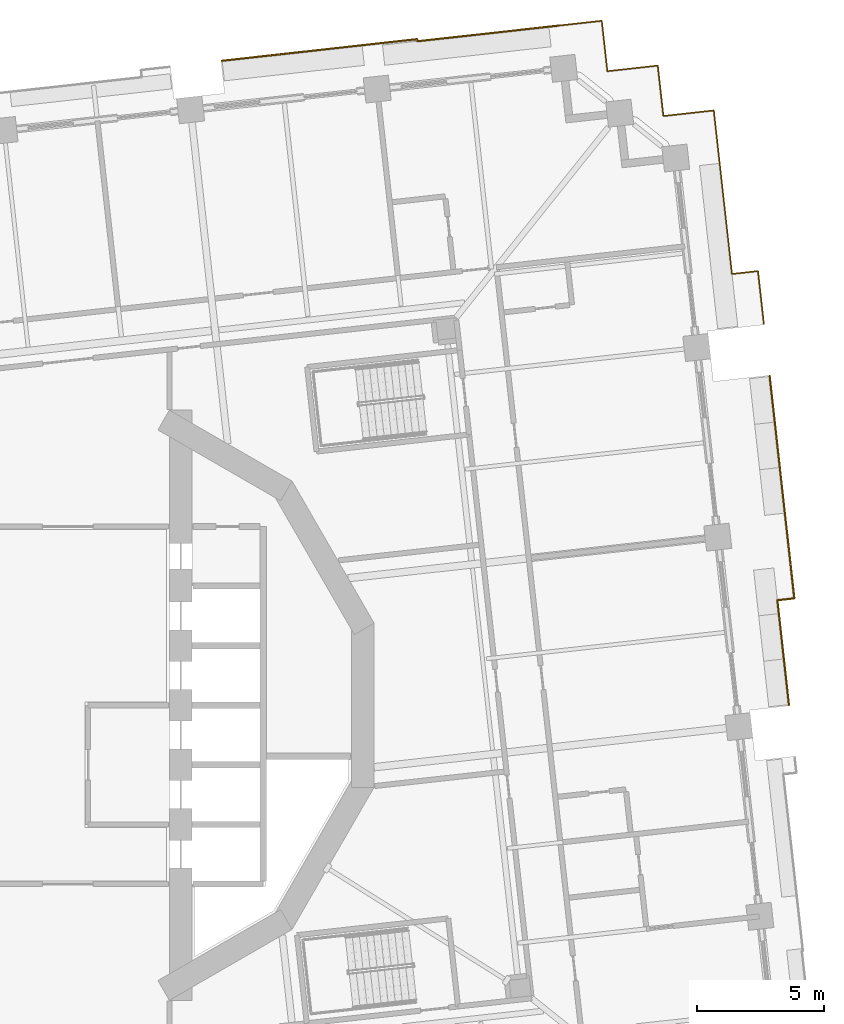
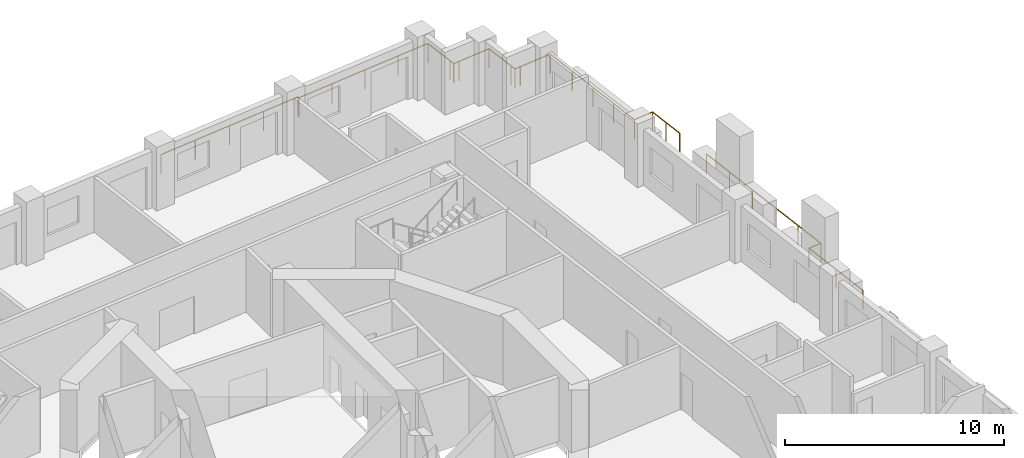
# One storey, part 20 of 21: 3 railings.
"""IFC4 building model written with IfcOpenShell, lengths in metres."""

from ifc_helpers import new_model, si_unit, direction, frame, origin, origin_2d, place, context, subcontext, project, spatial, circle, extrude, material, type_object, element, save


model = new_model("IFC4")

# Units and contexts
model_context = context("Model", 3, precision=1e-05, world=origin(), true_north=direction((0.0, 1.0)))
body_context = subcontext(model_context, "Body", "Model", "MODEL_VIEW")
ifc_project = project(units=[si_unit("LENGTHUNIT", "METRE"), si_unit("AREAUNIT", "SQUARE_METRE"), si_unit("VOLUMEUNIT", "CUBIC_METRE"), si_unit("PLANEANGLEUNIT", "RADIAN"), si_unit("MASSUNIT", "GRAM", prefix="KILO")], contexts=[model_context])

# Site, building, storey
site_placement = place(None, origin())
site = spatial("IfcSite", under=ifc_project, at=site_placement, CompositionType="ELEMENT")
building_placement = place(site_placement, origin())
building = spatial("IfcBuilding", under=site, at=building_placement, Name="Cantera Rosa Tower", CompositionType="ELEMENT")
storey_placement = place(building_placement, frame((0.0, 0.0, 72.89990234375)))
storey = spatial("IfcBuildingStorey", under=building, at=storey_placement, Name="L15", CompositionType="ELEMENT", Elevation=72.89990234375)

# Railings
ifc_material = material(Name="Stainless steel and laminated glass", Category="steel")
railing_type = type_object("IfcRailingType", Name="GUARD 1100", PredefinedType="BALUSTRADE", material=ifc_material)
railing_1_placement = place(storey_placement, frame((27.669677734375, 12.9814453125, 0.0)))
element("IfcRailing", 1, at=railing_1_placement, inside=storey, type_object=railing_type, Name="GUARD L15-11", PredefinedType="BALUSTRADE", context=body_context, shape_type="SweptSolid", body=[
    extrude(circle(Radius=0.030029296875, at=origin_2d()), frame((0.0, 0.0, 1.070068359375), z_axis=(0.110300926384, -0.993898237064, 0.0), x_axis=(0.993898237064, 0.110300926384, 0.0)), (0.0, 0.0, 1.0), 8.82275390625),
    extrude(circle(Radius=0.030029296875, at=origin_2d()), frame((0.97314453125, -8.768798828125, 1.070068359375), z_axis=(-0.993905824937, -0.110232532208, 0.0), x_axis=(0.110232532208, -0.993905824937, 0.0)), (0.0, 0.0, 1.0), 0.67333984375),
    extrude(circle(Radius=0.030029296875, at=origin_2d()), frame((0.303955078125, -8.843017578125, 1.070068359375), z_axis=(0.110347732508, -0.993893041494, 0.0), x_axis=(0.993893041494, 0.110347732508, 0.0)), (0.0, 0.0, 1.0), 4.1572265625),
    extrude(circle(Radius=0.02490234375, at=origin_2d()), origin(), (0.0, 0.0, 1.0), 1.0400390625),
    extrude(circle(Radius=0.02490234375, at=origin_2d()), frame((0.194580078125, -1.753662109375, 0.0)), (0.0, 0.0, 1.0), 1.0400390625),
    extrude(circle(Radius=0.02490234375, at=origin_2d()), frame((0.38916015625, -3.507568359375, 0.0)), (0.0, 0.0, 1.0), 1.0400390625),
    extrude(circle(Radius=0.02490234375, at=origin_2d()), frame((0.583984375, -5.26123046875, 0.0)), (0.0, 0.0, 1.0), 1.0400390625),
    extrude(circle(Radius=0.02490234375, at=origin_2d()), frame((0.778564453125, -7.01513671875, 0.0)), (0.0, 0.0, 1.0), 1.0400390625),
    extrude(circle(Radius=0.02490234375, at=origin_2d()), frame((0.97314453125, -8.768798828125, 0.0)), (0.0, 0.0, 1.0), 1.0400390625),
    extrude(circle(Radius=0.02490234375, at=origin_2d()), frame((0.303955078125, -8.843017578125, 0.0)), (0.0, 0.0, 1.0), 1.0400390625),
    extrude(circle(Radius=0.02490234375, at=origin_2d()), frame((0.533203125, -10.908935546875, 0.0)), (0.0, 0.0, 1.0), 1.0400390625),
    extrude(circle(Radius=0.02490234375, at=origin_2d()), frame((0.7626953125, -12.974853515625, 0.0)), (0.0, 0.0, 1.0), 1.0400390625),
])
railing_2_placement = place(storey_placement, frame((19.36181640625, 26.79931640625, 0.0)))
element("IfcRailing", 2, at=railing_2_placement, inside=storey, type_object=railing_type, Name="GUARD L15-12", PredefinedType="BALUSTRADE", context=body_context, shape_type="SweptSolid", body=[
    extrude(circle(Radius=0.030029296875, at=origin_2d()), frame((0.0, 0.0, 1.070068359375), z_axis=(0.993883734674, 0.110431526075, 0.0), x_axis=(-0.110431526075, 0.993883734674, 0.0)), (0.0, 0.0, 1.0), 1.7001953125),
    extrude(circle(Radius=0.030029296875, at=origin_2d()), frame((1.689697265625, 0.187744140625, 1.070068359375), z_axis=(0.110289669906, -0.993899486222, 0.0), x_axis=(0.993899486222, 0.110289669906, 0.0)), (0.0, 0.0, 1.0), 1.699951171875),
    extrude(circle(Radius=0.030029296875, at=origin_2d()), frame((1.877197265625, -1.501953125, 1.070068359375), z_axis=(0.110699535641, -0.99385391925, 0.0), x_axis=(0.99385391925, 0.110699535641, 0.0)), (0.0, 0.0, 1.0), 0.300048828125),
    extrude(circle(Radius=0.030029296875, at=origin_2d()), frame((1.910400390625, -1.800048828125, 1.070068359375), z_axis=(0.993943154022, 0.10989543472, 0.0), x_axis=(-0.10989543472, 0.993943154022, 0.0)), (0.0, 0.0, 1.0), 0.2998046875),
    extrude(circle(Radius=0.030029296875, at=origin_2d()), frame((2.20849609375, -1.76708984375, 1.070068359375), z_axis=(0.993899486222, 0.110289669906, 0.0), x_axis=(-0.110289669906, 0.993899486222, 0.0)), (0.0, 0.0, 1.0), 1.699951171875),
    extrude(circle(Radius=0.030029296875, at=origin_2d()), frame((3.898193359375, -1.57958984375, 1.070068359375), z_axis=(0.110305413813, -0.993897739047, 0.0), x_axis=(0.993897739047, 0.110305413813, 0.0)), (0.0, 0.0, 1.0), 1.69970703125),
    extrude(circle(Radius=0.030029296875, at=origin_2d()), frame((4.085693359375, -3.26904296875, 1.070068359375), z_axis=(0.1098065887, -0.993952973273, 0.0), x_axis=(0.993952973273, 0.1098065887, 0.0)), (0.0, 0.0, 1.0), 0.300048828125),
    extrude(circle(Radius=0.030029296875, at=origin_2d()), frame((4.11865234375, -3.5673828125, 1.070068359375), z_axis=(0.993863881828, 0.110610055588, 0.0), x_axis=(-0.110610055588, 0.993863881828, 0.0)), (0.0, 0.0, 1.0), 0.30029296875),
    extrude(circle(Radius=0.030029296875, at=origin_2d()), frame((4.4169921875, -3.5341796875, 1.070068359375), z_axis=(0.993897739047, 0.110305413813, 0.0), x_axis=(-0.110305413813, 0.993897739047, 0.0)), (0.0, 0.0, 1.0), 1.69970703125),
    extrude(circle(Radius=0.030029296875, at=origin_2d()), frame((6.1064453125, -3.3466796875, 1.070068359375), z_axis=(0.110289669906, -0.993899486222, 0.0), x_axis=(0.993899486222, 0.110289669906, 0.0)), (0.0, 0.0, 1.0), 1.699951171875),
    extrude(circle(Radius=0.030029296875, at=origin_2d()), frame((6.2939453125, -5.036376953125, 1.070068359375), z_axis=(0.110308384039, -0.993897409399, 0.0), x_axis=(0.993897409399, 0.110308384039, 0.0)), (0.0, 0.0, 1.0), 4.787353515625),
    extrude(circle(Radius=0.030029296875, at=origin_2d()), frame((6.822021484375, -9.79443359375, 1.070068359375), z_axis=(0.993889498172, 0.110379642247, 0.0), x_axis=(-0.110379642247, 0.993889498172, 0.0)), (0.0, 0.0, 1.0), 1.032958984375),
    extrude(circle(Radius=0.030029296875, at=origin_2d()), frame((7.8486328125, -9.680419921875, 1.070068359375), z_axis=(0.110304087838, -0.993897886207, 0.0), x_axis=(0.993897886207, 0.110304087838, 0.0)), (0.0, 0.0, 1.0), 2.102783203125),
    extrude(circle(Radius=0.02490234375, at=origin_2d()), origin(), (0.0, 0.0, 1.0), 1.0400390625),
    extrude(circle(Radius=0.02490234375, at=origin_2d()), frame((1.689697265625, 0.187744140625, 0.0)), (0.0, 0.0, 1.0), 1.0400390625),
    extrude(circle(Radius=0.02490234375, at=origin_2d()), frame((1.877197265625, -1.501953125, 0.0)), (0.0, 0.0, 1.0), 1.0400390625),
    extrude(circle(Radius=0.02490234375, at=origin_2d()), frame((1.910400390625, -1.800048828125, 0.0)), (0.0, 0.0, 1.0), 1.0400390625),
    extrude(circle(Radius=0.02490234375, at=origin_2d()), frame((2.20849609375, -1.76708984375, 0.0)), (0.0, 0.0, 1.0), 1.0400390625),
    extrude(circle(Radius=0.02490234375, at=origin_2d()), frame((3.898193359375, -1.57958984375, 0.0)), (0.0, 0.0, 1.0), 1.0400390625),
    extrude(circle(Radius=0.02490234375, at=origin_2d()), frame((4.085693359375, -3.26904296875, 0.0)), (0.0, 0.0, 1.0), 1.0400390625),
    extrude(circle(Radius=0.02490234375, at=origin_2d()), frame((4.11865234375, -3.5673828125, 0.0)), (0.0, 0.0, 1.0), 1.0400390625),
    extrude(circle(Radius=0.02490234375, at=origin_2d()), frame((4.4169921875, -3.5341796875, 0.0)), (0.0, 0.0, 1.0), 1.0400390625),
    extrude(circle(Radius=0.02490234375, at=origin_2d()), frame((6.1064453125, -3.3466796875, 0.0)), (0.0, 0.0, 1.0), 1.0400390625),
    extrude(circle(Radius=0.02490234375, at=origin_2d()), frame((6.2939453125, -5.036376953125, 0.0)), (0.0, 0.0, 1.0), 1.0400390625),
    extrude(circle(Radius=0.02490234375, at=origin_2d()), frame((6.469970703125, -6.622314453125, 0.0)), (0.0, 0.0, 1.0), 1.0400390625),
    extrude(circle(Radius=0.02490234375, at=origin_2d()), frame((6.64599609375, -8.20849609375, 0.0)), (0.0, 0.0, 1.0), 1.0400390625),
    extrude(circle(Radius=0.02490234375, at=origin_2d()), frame((6.822021484375, -9.79443359375, 0.0)), (0.0, 0.0, 1.0), 1.0400390625),
    extrude(circle(Radius=0.02490234375, at=origin_2d()), frame((7.8486328125, -9.680419921875, 0.0)), (0.0, 0.0, 1.0), 1.0400390625),
    extrude(circle(Radius=0.02490234375, at=origin_2d()), frame((7.964599609375, -10.725341796875, 0.0)), (0.0, 0.0, 1.0), 1.0400390625),
    extrude(circle(Radius=0.02490234375, at=origin_2d()), frame((8.08056640625, -11.770263671875, 0.0)), (0.0, 0.0, 1.0), 1.0400390625),
])
railing_3_placement = place(storey_placement, frame((6.06396484375, 25.4091796875, 0.0)))
element("IfcRailing", 3, at=railing_3_placement, inside=storey, type_object=railing_type, Name="GUARD L15-13", PredefinedType="BALUSTRADE", context=body_context, shape_type="SweptSolid", body=[
    extrude(circle(Radius=0.030029296875, at=origin_2d()), frame((0.0, 0.0, 1.070068359375), z_axis=(0.993897547531, 0.110307139445, 0.0), x_axis=(-0.110307139445, 0.993897547531, 0.0)), (0.0, 0.0, 1.0), 7.75537109375),
    extrude(circle(Radius=0.030029296875, at=origin_2d()), frame((7.7080078125, 0.85546875, 1.070068359375), z_axis=(0.108859286546, -0.994057169248, 0.0), x_axis=(0.994057169248, 0.108859286546, 0.0)), (0.0, 0.0, 1.0), 0.085205078125),
    extrude(circle(Radius=0.030029296875, at=origin_2d()), frame((7.71728515625, 0.770751953125, 1.070068359375), z_axis=(0.993896984026, 0.110312216663, 0.0), x_axis=(-0.110312216663, 0.993896984026, 0.0)), (0.0, 0.0, 1.0), 5.61474609375),
    extrude(circle(Radius=0.02490234375, at=origin_2d()), origin(), (0.0, 0.0, 1.0), 1.0400390625),
    extrude(circle(Radius=0.02490234375, at=origin_2d()), frame((1.927001953125, 0.2138671875, 0.0)), (0.0, 0.0, 1.0), 1.0400390625),
    extrude(circle(Radius=0.02490234375, at=origin_2d()), frame((3.85400390625, 0.427734375, 0.0)), (0.0, 0.0, 1.0), 1.0400390625),
    extrude(circle(Radius=0.02490234375, at=origin_2d()), frame((5.781005859375, 0.6416015625, 0.0)), (0.0, 0.0, 1.0), 1.0400390625),
    extrude(circle(Radius=0.02490234375, at=origin_2d()), frame((7.7080078125, 0.85546875, 0.0)), (0.0, 0.0, 1.0), 1.0400390625),
    extrude(circle(Radius=0.02490234375, at=origin_2d()), frame((7.71728515625, 0.770751953125, 0.0)), (0.0, 0.0, 1.0), 1.0400390625),
    extrude(circle(Radius=0.02490234375, at=origin_2d()), frame((9.577392578125, 0.977294921875, 0.0)), (0.0, 0.0, 1.0), 1.0400390625),
    extrude(circle(Radius=0.02490234375, at=origin_2d()), frame((11.437744140625, 1.18359375, 0.0)), (0.0, 0.0, 1.0), 1.0400390625),
    extrude(circle(Radius=0.02490234375, at=origin_2d()), frame((13.2978515625, 1.39013671875, 0.0)), (0.0, 0.0, 1.0), 1.0400390625),
])

save(model, "model.ifc")
